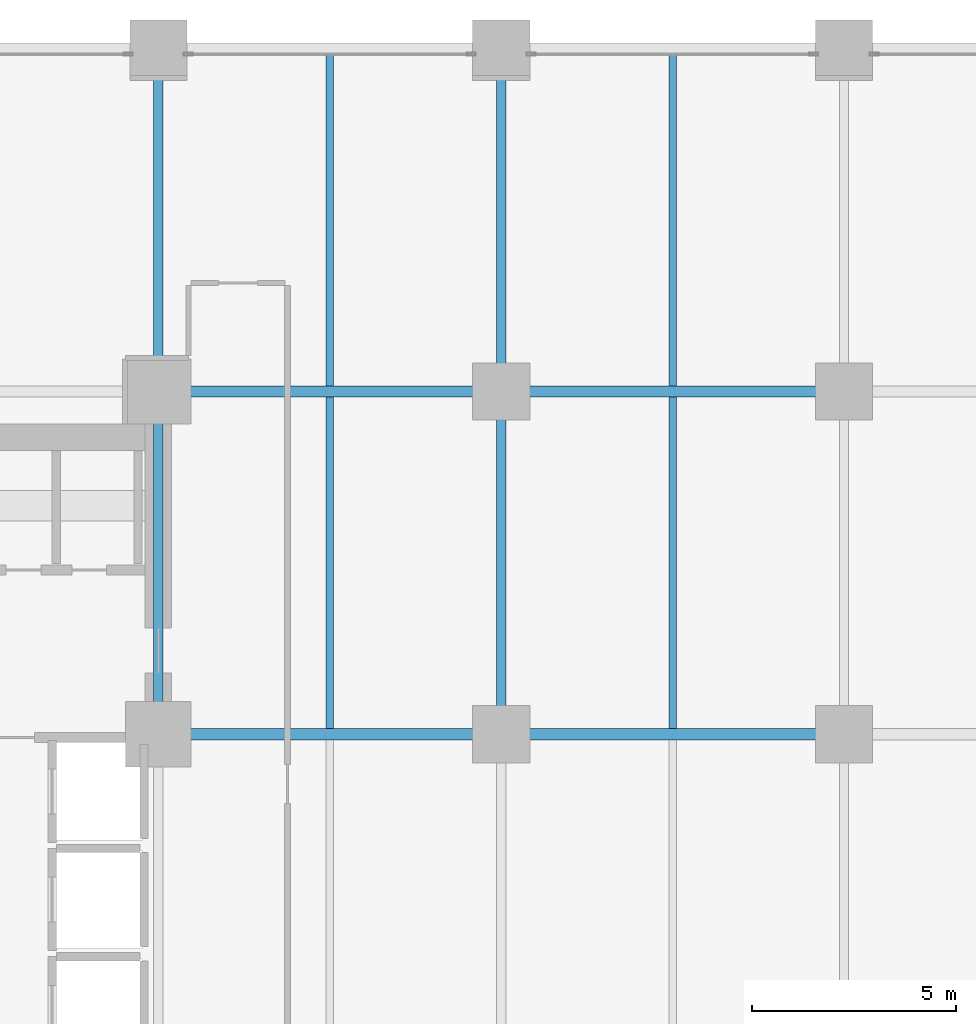
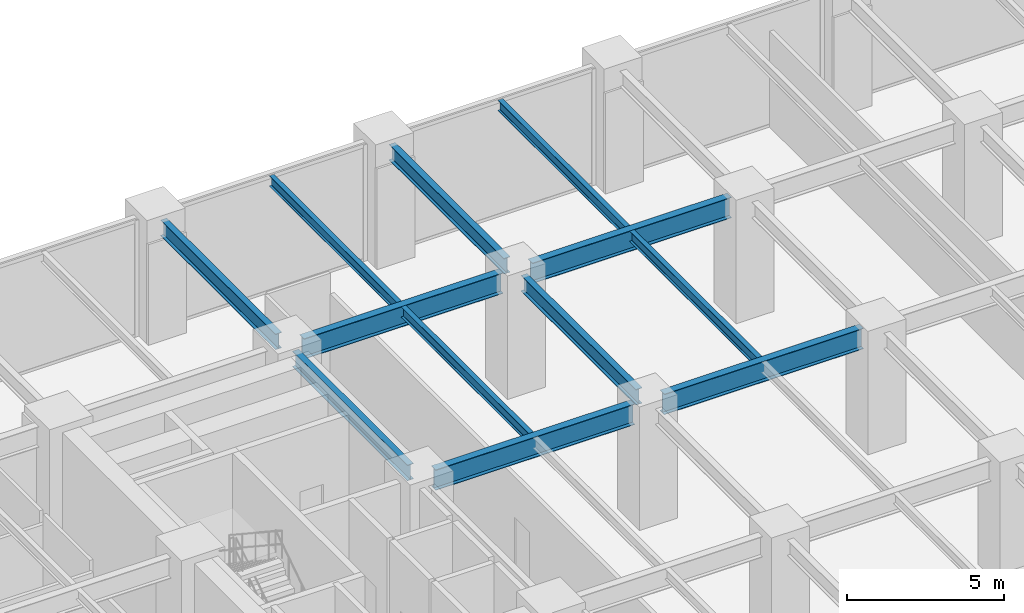
# One storey, part 11 of 23: 12 beams.
"""IFC4 building model written with IfcOpenShell, lengths in metres."""

import ifcopenshell
import ifcopenshell.guid

model = None  # the IFC model being written
_history = None  # IfcOwnerHistory: only IFC2X3 demands one
_inside = {}  # id of a spatial element -> (the spatial element, [elements in it])
_under = {}  # id of a project, library or spatial element -> (it, [spatial elements below it])
_declared = {}  # id of a project -> (the project, [libraries it declares])
_typed = {}  # id of a type object -> (the type object, [elements of that type])
_made_of = {}  # id of a material, layer set ... -> (it, [elements and type objects made of it])


def new_model(schema):
    """Start an empty IFC model of exactly this schema.

    Asked for "IFC4X3", IfcOpenShell would pick the latest addendum, in which some entities
    have other attributes; the version numbers below select the first issue.
    IFC2X3 requires an IfcOwnerHistory on every rooted entity: one is made here for all.
    """
    global model, _history
    if schema == "IFC4X3":
        model = ifcopenshell.file(schema_version=(4, 3, 0, 0))
    else:
        model = ifcopenshell.file(schema=schema)
    _inside.clear()
    _under.clear()
    _declared.clear()
    _typed.clear()
    _made_of.clear()
    _history = None
    if model.schema == "IFC2X3":
        org = make("IfcOrganization", Name="unknown")
        user = make(
            "IfcPersonAndOrganization",
            ThePerson=make("IfcPerson", FamilyName="unknown"),
            TheOrganization=org,
        )
        app = make(
            "IfcApplication",
            ApplicationDeveloper=org,
            Version="unknown",
            ApplicationFullName="unknown",
            ApplicationIdentifier="unknown",
        )
        _history = make(
            "IfcOwnerHistory",
            OwningUser=user,
            OwningApplication=app,
            ChangeAction="ADDED",
            CreationDate=0,
        )
    return model


def make(cls, **values):
    """One entity of the class cls with the attributes given. An attribute that is None is left unset."""
    return model.create_entity(
        cls, **{name: value for name, value in values.items() if value is not None}
    )


def rooted(cls, **values):
    """An entity with a GlobalId (a new one), such as an element, a storey or a relation."""
    return make(cls, GlobalId=ifcopenshell.guid.new(), OwnerHistory=_history, **values)


def si_unit(unit_type, name, prefix=None):
    """IfcSIUnit, for example si_unit("LENGTHUNIT", "METRE", prefix="MILLI")."""
    return make("IfcSIUnit", UnitType=unit_type, Prefix=prefix, Name=name)


def assignment(units):
    """IfcUnitAssignment: the units of a project."""
    return None if units is None else make("IfcUnitAssignment", Units=units)


def point(xyz):
    """IfcCartesianPoint."""
    return None if xyz is None else make("IfcCartesianPoint", Coordinates=xyz)


def direction(xyz):
    """IfcDirection."""
    return None if xyz is None else make("IfcDirection", DirectionRatios=xyz)


def frame(location, z_axis=None, x_axis=None):
    """IfcAxis2Placement3D, a coordinate frame: its origin and axes. An axis left out is left unset."""
    return make(
        "IfcAxis2Placement3D",
        Location=point(location),
        Axis=direction(z_axis),
        RefDirection=direction(x_axis),
    )


def frame_2d(location, x_axis=None):
    """IfcAxis2Placement2D, a coordinate frame in the plane: its origin and x axis."""
    return make(
        "IfcAxis2Placement2D", Location=point(location), RefDirection=direction(x_axis)
    )


def origin():
    """The frame at (0, 0, 0) with its axes left unset."""
    return frame((0.0, 0.0, 0.0))


def origin_2d():
    """The frame at (0, 0) in the plane with its x axis left unset."""
    return frame_2d((0.0, 0.0))


def place(relative_to, where):
    """IfcLocalPlacement: puts the frame where relative to a parent placement (None: the world)."""
    return make(
        "IfcLocalPlacement", PlacementRelTo=relative_to, RelativePlacement=where
    )


def context(
    kind, dimensions, precision=None, world=None, true_north=None, identifier=None
):
    """IfcGeometricRepresentationContext, for example the 3D "Model" context."""
    return make(
        "IfcGeometricRepresentationContext",
        ContextIdentifier=identifier,
        ContextType=kind,
        CoordinateSpaceDimension=dimensions,
        Precision=precision,
        WorldCoordinateSystem=world,
        TrueNorth=true_north,
    )


def subcontext(parent, identifier, kind, view, scale=None):
    """IfcGeometricRepresentationSubContext, for example "Body" below "Model"."""
    return make(
        "IfcGeometricRepresentationSubContext",
        ContextIdentifier=identifier,
        ContextType=kind,
        ParentContext=parent,
        TargetScale=scale,
        TargetView=view,
    )


def project(units=None, contexts=None):
    """IfcProject with its units and contexts."""
    return rooted(
        "IfcProject",
        Name="project",
        RepresentationContexts=contexts,
        UnitsInContext=assignment(units),
    )


def spatial(cls, under=None, at=None, **own):
    """A site, building, storey or space (cls), placed at a placement, below another one or the project."""
    s = rooted(cls, ObjectPlacement=at, **own)
    if under is not None:
        _under.setdefault(under.id(), (under, []))[1].append(s)
    return s


def profile(cls, at=None, kind="AREA", **sizes):
    """A parametric profile (cls). Its sizes go by their IFC names, for example OverallWidth=200.0."""
    return make(cls, ProfileType=kind, Position=at, **sizes)


def i_section(**sizes):
    """IfcIShapeProfileDef."""
    return profile("IfcIShapeProfileDef", **sizes)


def extrude(swept, where, along, depth):
    """IfcExtrudedAreaSolid: the profile swept, set in the frame where, extruded along a direction by depth."""
    return make(
        "IfcExtrudedAreaSolid",
        SweptArea=swept,
        Position=where,
        ExtrudedDirection=direction(along),
        Depth=depth,
    )


def shape(context_of_items, identifier, shape_type, items):
    """IfcShapeRepresentation: the items that make up one representation, for example the "Body"."""
    return make(
        "IfcShapeRepresentation",
        ContextOfItems=context_of_items,
        RepresentationIdentifier=identifier,
        RepresentationType=shape_type,
        Items=items,
    )


def material(Name=None, Category=None):
    """IfcMaterial."""
    return make("IfcMaterial", Name=Name, Category=Category)


def material_profile(
    of_material, cross_section, Name=None, Category=None, Priority=None
):
    """IfcMaterialProfile: a cross section and its material."""
    return make(
        "IfcMaterialProfile",
        Name=Name,
        Material=of_material,
        Profile=cross_section,
        Priority=Priority,
        Category=Category,
    )


def profile_set(profiles, Name=None, composite=None):
    """IfcMaterialProfileSet."""
    return make(
        "IfcMaterialProfileSet",
        Name=Name,
        MaterialProfiles=profiles,
        CompositeProfile=composite,
    )


def made_of(thing, what):
    """Note that an element or type object is made of a material, layer set ...; save() writes the relation."""
    if what is not None:
        _made_of.setdefault(what.id(), (what, []))[1].append(thing)
    return thing


def type_object(cls, material=None, **own):
    """A type object (cls), such as IfcWallType, which elements share."""
    return made_of(rooted(cls, **own), material)


def element(
    cls,
    number,
    at=None,
    inside=None,
    cuts=None,
    type_object=None,
    material=None,
    context=None,
    identifier="Body",
    shape_type=None,
    held_by="IfcProductDefinitionShape",
    body=None,
    shapes=None,
    **own,
):
    """One element of the class cls, such as IfcWall. Its Tag is "e" and its number.

    at: its placement. inside: the storey or other place that contains it. cuts: it is an
    opening in that element (IfcRelVoidsElement). A single representation is given by context,
    identifier, shape_type and body (its items); several are given by shapes. held_by: the class
    of the entity that holds the representations. save() writes the other relations.
    """
    e = rooted(cls, Tag="e%d" % number, ObjectPlacement=at, **own)
    if body is not None:
        shapes = [shape(context, identifier, shape_type, body)]
    if shapes is not None:
        e.Representation = make(held_by, Representations=shapes)
    if inside is not None:
        _inside.setdefault(inside.id(), (inside, []))[1].append(e)
    if cuts is not None:
        rooted(
            "IfcRelVoidsElement", RelatingBuildingElement=cuts, RelatedOpeningElement=e
        )
    if type_object is not None:
        _typed.setdefault(type_object.id(), (type_object, []))[1].append(e)
    return made_of(e, material)


def aggregate(whole, parts):
    """IfcRelAggregates: a whole, such as a stair, and the parts it consists of."""
    return rooted("IfcRelAggregates", RelatingObject=whole, RelatedObjects=parts)


def save(model, path):
    """Write the relations noted so far, then the file.

    IfcRelAggregates (storeys below a building ...), IfcRelContainedInSpatialStructure (elements
    in a storey), IfcRelDefinesByType, IfcRelAssociatesMaterial and IfcRelDeclares: one each for
    every whole, place, type object, material and project.
    """
    for whole, parts in _under.values():
        aggregate(whole, parts)
    for where, things in _inside.values():
        rooted(
            "IfcRelContainedInSpatialStructure",
            RelatedElements=things,
            RelatingStructure=where,
        )
    for kind, things in _typed.values():
        rooted("IfcRelDefinesByType", RelatedObjects=things, RelatingType=kind)
    for what, things in _made_of.values():
        rooted("IfcRelAssociatesMaterial", RelatedObjects=things, RelatingMaterial=what)
    for by, libraries in _declared.values():
        rooted("IfcRelDeclares", RelatingContext=by, RelatedDefinitions=libraries)
    model.write(path)


model = new_model("IFC4")

# Units and contexts
model_context = context("Model", 3, precision=1e-05, world=origin(), true_north=direction((0.0, 1.0)))
body_context = subcontext(model_context, "Body", "Model", "MODEL_VIEW")
ifc_project = project(units=[si_unit("LENGTHUNIT", "METRE"), si_unit("AREAUNIT", "SQUARE_METRE"), si_unit("VOLUMEUNIT", "CUBIC_METRE"), si_unit("PLANEANGLEUNIT", "RADIAN"), si_unit("MASSUNIT", "GRAM", prefix="KILO")], contexts=[model_context])

# Site, building, storey
site_placement = place(None, origin())
site = spatial("IfcSite", under=ifc_project, at=site_placement, CompositionType="ELEMENT")
building_placement = place(site_placement, origin())
building = spatial("IfcBuilding", under=site, at=building_placement, Name="Nerrivon Quay Data Exchange", CompositionType="ELEMENT")
storey_placement = place(building_placement, frame((0.0, 0.0, 5.39990234375)))
storey = spatial("IfcBuildingStorey", under=building, at=storey_placement, Name="L01", CompositionType="ELEMENT", Elevation=5.39990234375)

# Beams
ifc_material = material(Name="Steel Grade 350", Category="steel")
ifc_material_profile_1 = material_profile(ifc_material, i_section(OverallWidth=0.22900390625, OverallDepth=0.612060546875, WebThickness=0.011962890625, FlangeThickness=0.01953125, FilletRadius=0.013916015625, at=origin_2d()), Name="610UB125")
ifc_profile_set_1 = profile_set([ifc_material_profile_1], Name="Steel Grade 350")
beam_type_1 = type_object("IfcBeamType", Name="BM-G1-610UB125", PredefinedType="BEAM", material=ifc_profile_set_1)
for number, where, z_axis, x_axis, name in (
    (1, (16.800048828125, 34.139892578125, 4.218994140625), (0.0, 1.0, 0.0), (-1.0, 0.0, 0.0), "L01 NS Girder X=16.8 (33.6..42.0)"),
    (2, (16.800048828125, 42.5400390625, 4.218994140625), (0.0, 1.0, 0.0), (-1.0, 0.0, 0.0), "L01 NS Girder X=16.8 (42.0..50.4)"),
    (3, (25.199951171875, 34.139892578125, 4.218994140625), (0.0, 1.0, 0.0), (-1.0, 0.0, 0.0), "L01 NS Girder X=25.2 (33.6..42.0)"),
    (4, (25.199951171875, 42.5400390625, 4.218994140625), (0.0, 1.0, 0.0), (-1.0, 0.0, 0.0), "L01 NS Girder X=25.2 (42.0..50.4)"),
):
    element("IfcBeam", number, at=place(storey_placement, frame(where, z_axis=z_axis, x_axis=x_axis)), inside=storey, type_object=beam_type_1, Name=name, PredefinedType="BEAM", context=body_context, shape_type="SweptSolid", body=[
        extrude(i_section(OverallWidth=0.22900390625, OverallDepth=0.612060546875, WebThickness=0.011962890625, FlangeThickness=0.01953125, FilletRadius=0.013916015625, at=origin_2d()), origin(), (0.0, 0.0, 1.0), 7.320068359375),
    ])
ifc_material_profile_2 = material_profile(ifc_material, i_section(OverallWidth=0.27490234375, OverallDepth=0.800048828125, WebThickness=0.010009765625, FlangeThickness=0.02001953125, at=origin_2d()), Name="800WB146")
ifc_profile_set_2 = profile_set([ifc_material_profile_2], Name="Steel Grade 350")
beam_type_2 = type_object("IfcBeamType", Name="BM-G8-800WB146", PredefinedType="BEAM", material=ifc_profile_set_2)
beam_1_placement = place(storey_placement, frame((17.340087890625, 33.60009765625, 4.125), z_axis=(1.0, 0.0, 0.0), x_axis=(0.0, 1.0, 0.0)))
element("IfcBeam", 5, at=beam_1_placement, inside=storey, type_object=beam_type_2, Name="L01 EW Girder Y=33.6 (16.8..25.2)", PredefinedType="BEAM", context=body_context, shape_type="SweptSolid", body=[
    extrude(i_section(OverallWidth=0.27490234375, OverallDepth=0.800048828125, WebThickness=0.010009765625, FlangeThickness=0.02001953125, at=origin_2d()), origin(), (0.0, 0.0, 1.0), 7.31982421875),
])
beam_2_placement = place(storey_placement, frame((25.739990234375, 33.60009765625, 4.125), z_axis=(1.0, 0.0, 0.0), x_axis=(0.0, 1.0, 0.0)))
element("IfcBeam", 6, at=beam_2_placement, inside=storey, type_object=beam_type_2, Name="L01 EW Girder Y=33.6 (25.2..33.6)", PredefinedType="BEAM", context=body_context, shape_type="SweptSolid", body=[
    extrude(i_section(OverallWidth=0.27490234375, OverallDepth=0.800048828125, WebThickness=0.010009765625, FlangeThickness=0.02001953125, at=origin_2d()), origin(), (0.0, 0.0, 1.0), 7.320068359375),
])
beam_3_placement = place(storey_placement, frame((17.340087890625, 42.0, 4.125), z_axis=(1.0, 0.0, 0.0), x_axis=(0.0, 1.0, 0.0)))
element("IfcBeam", 7, at=beam_3_placement, inside=storey, type_object=beam_type_2, Name="L01 EW Girder Y=42.0 (16.8..25.2)", PredefinedType="BEAM", context=body_context, shape_type="SweptSolid", body=[
    extrude(i_section(OverallWidth=0.27490234375, OverallDepth=0.800048828125, WebThickness=0.010009765625, FlangeThickness=0.02001953125, at=origin_2d()), origin(), (0.0, 0.0, 1.0), 7.31982421875),
])
beam_4_placement = place(storey_placement, frame((25.739990234375, 42.0, 4.125), z_axis=(1.0, 0.0, 0.0), x_axis=(0.0, 1.0, 0.0)))
element("IfcBeam", 8, at=beam_4_placement, inside=storey, type_object=beam_type_2, Name="L01 EW Girder Y=42.0 (25.2..33.6)", PredefinedType="BEAM", context=body_context, shape_type="SweptSolid", body=[
    extrude(i_section(OverallWidth=0.27490234375, OverallDepth=0.800048828125, WebThickness=0.010009765625, FlangeThickness=0.02001953125, at=origin_2d()), origin(), (0.0, 0.0, 1.0), 7.320068359375),
])
ifc_material_profile_3 = material_profile(ifc_material, i_section(OverallWidth=0.177978515625, OverallDepth=0.403076171875, WebThickness=0.007568359375, FlangeThickness=0.010986328125, FilletRadius=0.011474609375, at=origin_2d()), Name="410UB53.7")
ifc_profile_set_3 = profile_set([ifc_material_profile_3], Name="Steel Grade 350")
beam_type_3 = type_object("IfcBeamType", Name="BM-J2-410UB54", PredefinedType="JOIST", material=ifc_profile_set_3)
for number, where, z_axis, x_axis, name in (
    (9, (21.0, 33.737548828125, 4.323486328125), (0.0, 1.0, 0.0), (-1.0, 0.0, 0.0), "L01 Secondary Joist X=21.0 (33.6..42.0)"),
    (10, (21.0, 42.137451171875, 4.323486328125), (0.0, 1.0, 0.0), (-1.0, 0.0, 0.0), "L01 Secondary Joist X=21.0 (42.0..50.4)"),
    (11, (29.39990234375, 33.737548828125, 4.323486328125), (0.0, 1.0, 0.0), (-1.0, 0.0, 0.0), "L01 Secondary Joist X=29.4 (33.6..42.0)"),
    (12, (29.39990234375, 42.137451171875, 4.323486328125), (0.0, 1.0, 0.0), (-1.0, 0.0, 0.0), "L01 Secondary Joist X=29.4 (42.0..50.4)"),
):
    element("IfcBeam", number, at=place(storey_placement, frame(where, z_axis=z_axis, x_axis=x_axis)), inside=storey, type_object=beam_type_3, Name=name, PredefinedType="JOIST", context=body_context, shape_type="SweptSolid", body=[
        extrude(i_section(OverallWidth=0.177978515625, OverallDepth=0.403076171875, WebThickness=0.007568359375, FlangeThickness=0.010986328125, FilletRadius=0.011474609375, at=origin_2d()), origin(), (0.0, 0.0, 1.0), 8.125),
    ])

save(model, "model.ifc")
